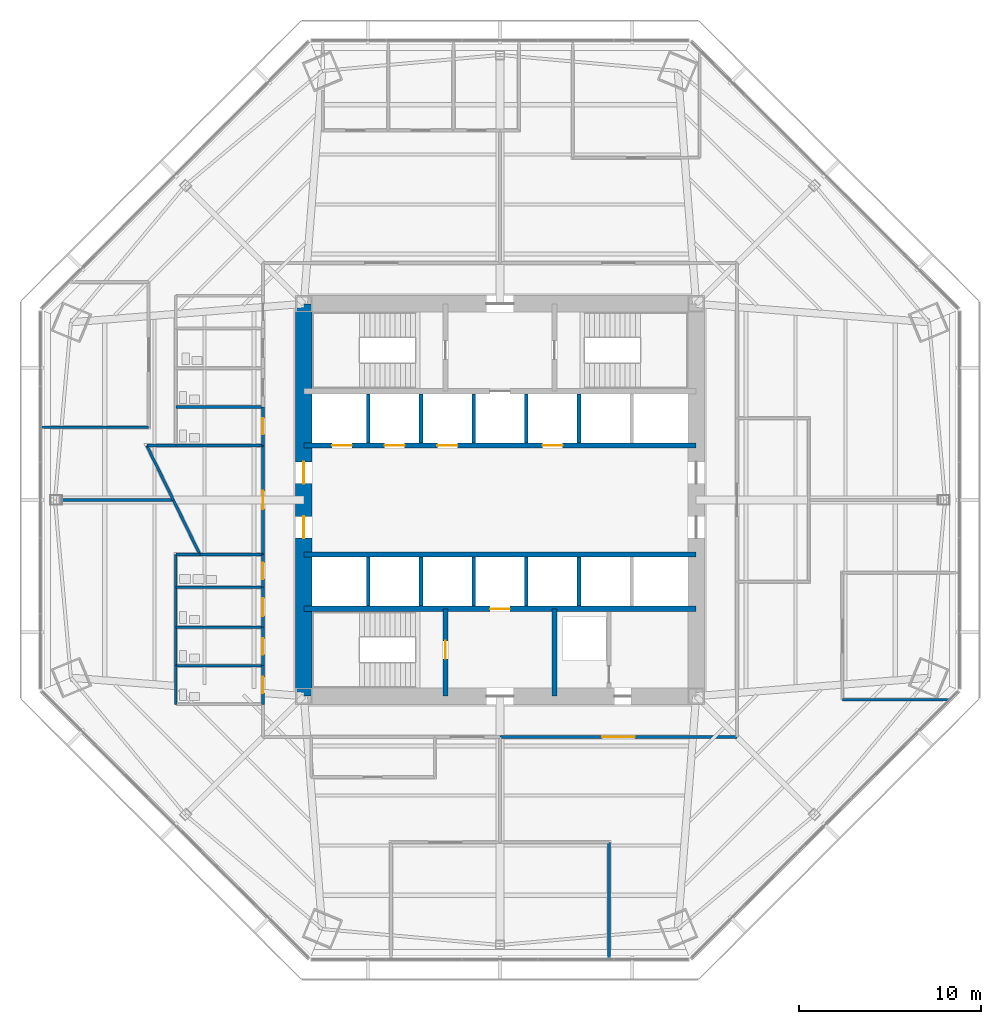
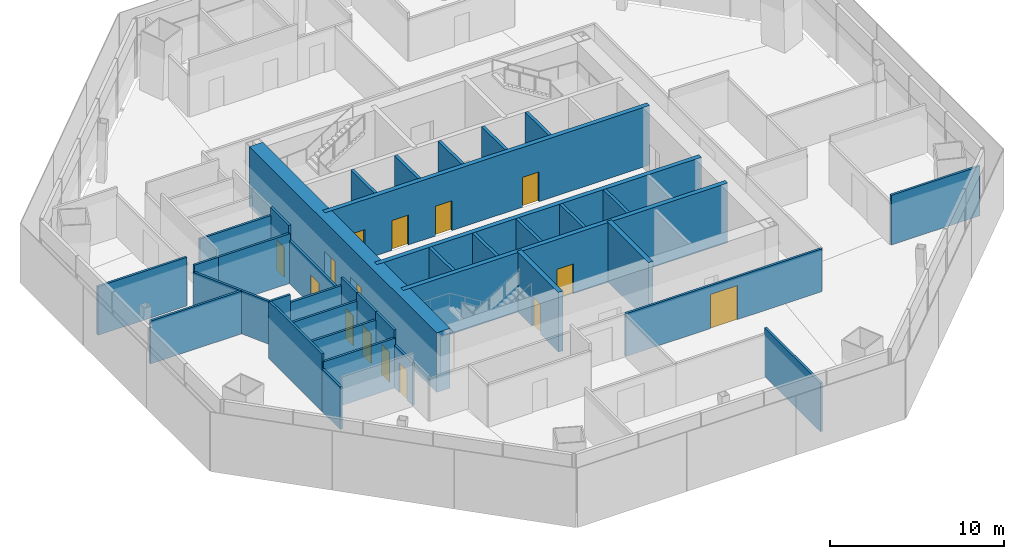
# One storey, part 10 of 16: 39 walls, 15 doors, 15 openings.
"""IFC4 building model written with IfcOpenShell, lengths in metres."""

from ifc_helpers import new_model, si_unit, direction, frame, frame_2d, origin, place, context, subcontext, project, spatial, rectangle, extrude, material, layer, layer_set, type_object, element, fill, save


model = new_model("IFC4")

# Units and contexts
model_context = context("Model", 3, precision=1e-05, world=origin(), true_north=direction((0.0, 1.0)))
body_context = subcontext(model_context, "Body", "Model", "MODEL_VIEW")
ifc_project = project(units=[si_unit("LENGTHUNIT", "METRE"), si_unit("AREAUNIT", "SQUARE_METRE"), si_unit("VOLUMEUNIT", "CUBIC_METRE"), si_unit("PLANEANGLEUNIT", "RADIAN"), si_unit("MASSUNIT", "GRAM", prefix="KILO")], contexts=[model_context])

# Site, building, storey
site_placement = place(None, origin())
site = spatial("IfcSite", under=ifc_project, at=site_placement, CompositionType="ELEMENT")
building_placement = place(site_placement, origin())
building = spatial("IfcBuilding", under=site, at=building_placement, Name="Mashrafa Tower", CompositionType="ELEMENT")
storey_placement = place(building_placement, frame((0.0, 0.0, 96.0)))
storey = spatial("IfcBuildingStorey", under=building, at=storey_placement, Name="L21", CompositionType="ELEMENT", Elevation=96.0)

# Wall, openings, doors
ifc_material_1 = material(Name="Concrete C60/75", Category="concrete")
ifc_layer_1 = layer(ifc_material_1, 0.300048828125)
ifc_layer_set_1 = layer_set([ifc_layer_1], Name="Core wall 300 C60/75")
wall_type_1 = type_object("IfcWallType", Name="Core wall 300 C60/75", PredefinedType="SOLIDWALL", material=ifc_layer_set_1)
wall_1_placement = place(storey_placement, frame((-10.800048828125, 3.0, 0.0), z_axis=(0.0, 0.0, 1.0), x_axis=(1.0, 0.0, 0.0)))
wall_1 = element("IfcWall", 1, at=wall_1_placement, inside=storey, type_object=wall_type_1, Name="Core wall CH-N L21", PredefinedType="SOLIDWALL", context=body_context, shape_type="SweptSolid", body=[
    extrude(rectangle(XDim=21.60009765625, YDim=0.300048828125, at=frame_2d((10.800048828125, 0.0))), origin(), (0.0, 0.0, 1.0), 4.199951171875),
])
opening_1_placement = place(wall_1_placement, frame((1.550048828125, 0.0, 0.0)))
opening_1 = element("IfcOpeningElement", 2, at=opening_1_placement, cuts=wall_1, Name="Opening 21.A1", PredefinedType="OPENING", context=body_context, shape_type="SweptSolid", body=[
    extrude(rectangle(XDim=1.10009765625, YDim=2.10009765625, at=frame_2d((0.550048828125, 1.050048828125))), frame((0.0, 0.159912109375, 0.0), z_axis=(0.0, -1.0, 0.0), x_axis=(1.0, 0.0, 0.0)), (0.0, 0.0, 1.0), 0.320068359375),
])
opening_2_placement = place(wall_1_placement, frame((4.449951171875, 0.0, 0.0)))
opening_2 = element("IfcOpeningElement", 3, at=opening_2_placement, cuts=wall_1, Name="Opening 21.A2", PredefinedType="OPENING", context=body_context, shape_type="SweptSolid", body=[
    extrude(rectangle(XDim=1.10009765625, YDim=2.10009765625, at=frame_2d((0.550048828125, 1.050048828125))), frame((0.0, 0.159912109375, 0.0), z_axis=(0.0, -1.0, 0.0), x_axis=(1.0, 0.0, 0.0)), (0.0, 0.0, 1.0), 0.320068359375),
])
opening_3_placement = place(wall_1_placement, frame((7.35009765625, 0.0, 0.0)))
opening_3 = element("IfcOpeningElement", 4, at=opening_3_placement, cuts=wall_1, Name="Opening 21.A3", PredefinedType="OPENING", context=body_context, shape_type="SweptSolid", body=[
    extrude(rectangle(XDim=1.10009765625, YDim=2.10009765625, at=frame_2d((0.550048828125, 1.050048828125))), frame((0.0, 0.159912109375, 0.0), z_axis=(0.0, -1.0, 0.0), x_axis=(1.0, 0.0, 0.0)), (0.0, 0.0, 1.0), 0.320068359375),
])
opening_4_placement = place(wall_1_placement, frame((13.14990234375, 0.0, 0.0)))
opening_4 = element("IfcOpeningElement", 5, at=opening_4_placement, cuts=wall_1, Name="Opening 21.A4", PredefinedType="OPENING", context=body_context, shape_type="SweptSolid", body=[
    extrude(rectangle(XDim=1.10009765625, YDim=2.10009765625, at=frame_2d((0.550048828125, 1.050048828125))), frame((0.0, 0.159912109375, 0.0), z_axis=(0.0, -1.0, 0.0), x_axis=(1.0, 0.0, 0.0)), (0.0, 0.0, 1.0), 0.320068359375),
])
ifc_material_2 = material(Name="Steel door", Category="steel")
door_type_1 = type_object("IfcDoorType", Name="Lift landing door 1100 x 2100 90 min", OperationType="DOUBLE_DOOR_SLIDING", PredefinedType="DOOR", material=ifc_material_2)
door_1_placement = place(opening_1_placement, origin())
door_1 = element("IfcDoor", 6, at=door_1_placement, inside=storey, type_object=door_type_1, Name="Lift landing door A1 L21", OperationType="DOUBLE_DOOR_SLIDING", OverallHeight=2.10009765625, OverallWidth=1.10009765625, PredefinedType="DOOR", context=body_context, shape_type="SweptSolid", body=[
    extrude(rectangle(XDim=1.10009765625, YDim=2.10009765625, at=frame_2d((0.550048828125, 1.050048828125))), frame((0.0, 0.02490234375, 0.0), z_axis=(0.0, -1.0, 0.0), x_axis=(1.0, 0.0, 0.0)), (0.0, 0.0, 1.0), 0.050048828125),
])
fill(opening_1, door_1)
door_2_placement = place(opening_2_placement, origin())
door_2 = element("IfcDoor", 7, at=door_2_placement, inside=storey, type_object=door_type_1, Name="Lift landing door A2 L21", OperationType="DOUBLE_DOOR_SLIDING", OverallHeight=2.10009765625, OverallWidth=1.10009765625, PredefinedType="DOOR", context=body_context, shape_type="SweptSolid", body=[
    extrude(rectangle(XDim=1.10009765625, YDim=2.10009765625, at=frame_2d((0.550048828125, 1.050048828125))), frame((0.0, 0.02490234375, 0.0), z_axis=(0.0, -1.0, 0.0), x_axis=(1.0, 0.0, 0.0)), (0.0, 0.0, 1.0), 0.050048828125),
])
fill(opening_2, door_2)
door_3_placement = place(opening_3_placement, origin())
door_3 = element("IfcDoor", 8, at=door_3_placement, inside=storey, type_object=door_type_1, Name="Lift landing door A3 L21", OperationType="DOUBLE_DOOR_SLIDING", OverallHeight=2.10009765625, OverallWidth=1.10009765625, PredefinedType="DOOR", context=body_context, shape_type="SweptSolid", body=[
    extrude(rectangle(XDim=1.10009765625, YDim=2.10009765625, at=frame_2d((0.550048828125, 1.050048828125))), frame((0.0, 0.02490234375, 0.0), z_axis=(0.0, -1.0, 0.0), x_axis=(1.0, 0.0, 0.0)), (0.0, 0.0, 1.0), 0.050048828125),
])
fill(opening_3, door_3)
door_4_placement = place(opening_4_placement, origin())
door_4 = element("IfcDoor", 9, at=door_4_placement, inside=storey, type_object=door_type_1, Name="Lift landing door A4 L21", OperationType="DOUBLE_DOOR_SLIDING", OverallHeight=2.10009765625, OverallWidth=1.10009765625, PredefinedType="DOOR", context=body_context, shape_type="SweptSolid", body=[
    extrude(rectangle(XDim=1.10009765625, YDim=2.10009765625, at=frame_2d((0.550048828125, 1.050048828125))), frame((0.0, 0.02490234375, 0.0), z_axis=(0.0, -1.0, 0.0), x_axis=(1.0, 0.0, 0.0)), (0.0, 0.0, 1.0), 0.050048828125),
])
fill(opening_4, door_4)

# Wall
wall_2_placement = place(storey_placement, frame((-10.800048828125, -3.0, 0.0), z_axis=(0.0, 0.0, 1.0), x_axis=(1.0, 0.0, 0.0)))
element("IfcWall", 10, at=wall_2_placement, inside=storey, type_object=wall_type_1, Name="Core wall CH-S L21", PredefinedType="SOLIDWALL", context=body_context, shape_type="SweptSolid", body=[
    extrude(rectangle(XDim=21.60009765625, YDim=0.300048828125, at=frame_2d((10.800048828125, 0.0))), origin(), (0.0, 0.0, 1.0), 4.199951171875),
])

# Wall, opening, door
wall_3_placement = place(storey_placement, frame((-10.800048828125, -6.0, 0.0), z_axis=(0.0, 0.0, 1.0), x_axis=(1.0, 0.0, 0.0)))
wall_3 = element("IfcWall", 11, at=wall_3_placement, inside=storey, type_object=wall_type_1, Name="Core wall CB-S L21", PredefinedType="SOLIDWALL", context=body_context, shape_type="SweptSolid", body=[
    extrude(rectangle(XDim=21.60009765625, YDim=0.300048828125, at=frame_2d((10.800048828125, 0.0))), origin(), (0.0, 0.0, 1.0), 4.199951171875),
])
opening_5_placement = place(wall_3_placement, frame((10.25, 0.0, 0.0)))
opening_5 = element("IfcOpeningElement", 12, at=opening_5_placement, cuts=wall_3, Name="Opening 21.F2", PredefinedType="OPENING", context=body_context, shape_type="SweptSolid", body=[
    extrude(rectangle(XDim=1.10009765625, YDim=2.10009765625, at=frame_2d((0.550048828125, 1.050048828125))), frame((0.0, 0.159912109375, 0.0), z_axis=(0.0, -1.0, 0.0), x_axis=(1.0, 0.0, 0.0)), (0.0, 0.0, 1.0), 0.320068359375),
])
door_5_placement = place(opening_5_placement, origin())
door_5 = element("IfcDoor", 13, at=door_5_placement, inside=storey, type_object=door_type_1, Name="Lift landing door F2 L21", OperationType="DOUBLE_DOOR_SLIDING", OverallHeight=2.10009765625, OverallWidth=1.10009765625, PredefinedType="DOOR", context=body_context, shape_type="SweptSolid", body=[
    extrude(rectangle(XDim=1.10009765625, YDim=2.10009765625, at=frame_2d((0.550048828125, 1.050048828125))), frame((0.0, 0.02490234375, 0.0), z_axis=(0.0, -1.0, 0.0), x_axis=(1.0, 0.0, 0.0)), (0.0, 0.0, 1.0), 0.050048828125),
])
fill(opening_5, door_5)

wall_4_placement = place(storey_placement, frame((-3.0, -6.0, 0.0), z_axis=(0.0, 0.0, 1.0), x_axis=(0.0, -1.0, 0.0)))
wall_4 = element("IfcWall", 14, at=wall_4_placement, inside=storey, type_object=wall_type_1, Name="Core wall CX-SW L21", PredefinedType="SOLIDWALL", context=body_context, shape_type="SweptSolid", body=[
    extrude(rectangle(XDim=4.800048828125, YDim=0.300048828125, at=frame_2d((2.39990234375, 0.0))), origin(), (0.0, 0.0, 1.0), 4.199951171875),
])
opening_6_placement = place(wall_4_placement, frame((1.75, 0.0, 0.0)))
opening_6 = element("IfcOpeningElement", 15, at=opening_6_placement, cuts=wall_4, Name="Opening 21.031", PredefinedType="OPENING", context=body_context, shape_type="SweptSolid", body=[
    extrude(rectangle(XDim=1.0, YDim=2.10009765625, at=frame_2d((0.5, 1.050048828125))), frame((0.0, 0.159912109375, 0.0), z_axis=(0.0, -1.0, 0.0), x_axis=(1.0, 0.0, 0.0)), (0.0, 0.0, 1.0), 0.320068359375),
])
ifc_material_3 = material(Name="Steel door", Category="steel")
door_type_2 = type_object("IfcDoorType", Name="Stair door 1000 x 2100 90 min", OperationType="USERDEFINED", PredefinedType="DOOR", material=ifc_material_3)
door_6_placement = place(opening_6_placement, frame((1.0, 0.0, 0.0), z_axis=(0.0, 0.0, 1.0), x_axis=(-1.0, 0.0, 0.0)))
door_6 = element("IfcDoor", 16, at=door_6_placement, inside=storey, type_object=door_type_2, Name="Stair S3 door L21", OperationType="SINGLE_SWING_RIGHT", OverallHeight=2.10009765625, OverallWidth=1.0, PredefinedType="DOOR", context=body_context, shape_type="SweptSolid", body=[
    extrude(rectangle(XDim=1.0, YDim=2.10009765625, at=frame_2d((0.5, 1.050048828125))), frame((0.0, 0.02490234375, 0.0), z_axis=(0.0, -1.0, 0.0), x_axis=(1.0, 0.0, 0.0)), (0.0, 0.0, 1.0), 0.050048828125),
])
fill(opening_6, door_6)

# Wall
wall_5_placement = place(storey_placement, frame((3.0, -6.0, 0.0), z_axis=(0.0, 0.0, 1.0), x_axis=(0.0, -1.0, 0.0)))
element("IfcWall", 17, at=wall_5_placement, inside=storey, type_object=wall_type_1, Name="Core wall CX-SE L21", PredefinedType="SOLIDWALL", context=body_context, shape_type="SweptSolid", body=[
    extrude(rectangle(XDim=4.800048828125, YDim=0.300048828125, at=frame_2d((2.39990234375, 0.0))), origin(), (0.0, 0.0, 1.0), 4.199951171875),
])

# Wall, openings, doors
ifc_material_4 = material(Name="Concrete C60/75", Category="concrete")
ifc_layer_2 = layer(ifc_material_4, 0.89990234375)
ifc_layer_set_2 = layer_set([ifc_layer_2], Name="Core wall 900 C60/75")
wall_type_2 = type_object("IfcWallType", Name="Core wall 900 C60/75", PredefinedType="SOLIDWALL", material=ifc_layer_set_2)
wall_6_placement = place(storey_placement, frame((-10.800048828125, 10.800048828125, 0.0), z_axis=(0.0, 0.0, 1.0), x_axis=(0.0, -1.0, 0.0)))
wall_6 = element("IfcWall", 18, at=wall_6_placement, inside=storey, type_object=wall_type_2, Name="Core wall CW-W L21", PredefinedType="SOLIDWALL", context=body_context, shape_type="SweptSolid", body=[
    extrude(rectangle(XDim=21.60009765625, YDim=0.89990234375, at=frame_2d((10.800048828125, 0.0))), origin(), (0.0, 0.0, 1.0), 4.199951171875),
])
opening_7_placement = place(wall_6_placement, frame((8.699951171875, 0.0, 0.0)))
opening_7 = element("IfcOpeningElement", 19, at=opening_7_placement, cuts=wall_6, Name="Opening 21.024", PredefinedType="OPENING", context=body_context, shape_type="SweptSolid", body=[
    extrude(rectangle(XDim=1.199951171875, YDim=2.10009765625, at=frame_2d((0.60009765625, 1.050048828125))), frame((0.0, 0.4599609375, 0.0), z_axis=(0.0, -1.0, 0.0), x_axis=(1.0, 0.0, 0.0)), (0.0, 0.0, 1.0), 0.919921875),
])
opening_8_placement = place(wall_6_placement, frame((11.699951171875, 0.0, 0.0)))
opening_8 = element("IfcOpeningElement", 20, at=opening_8_placement, cuts=wall_6, Name="Opening 21.026", PredefinedType="OPENING", context=body_context, shape_type="SweptSolid", body=[
    extrude(rectangle(XDim=1.199951171875, YDim=2.10009765625, at=frame_2d((0.60009765625, 1.050048828125))), frame((0.0, 0.4599609375, 0.0), z_axis=(0.0, -1.0, 0.0), x_axis=(1.0, 0.0, 0.0)), (0.0, 0.0, 1.0), 0.919921875),
])
ifc_material_5 = material(Name="Steel door", Category="steel")
door_type_3 = type_object("IfcDoorType", Name="Lift hall door 1200 x 2100 90 min", OperationType="USERDEFINED", PredefinedType="DOOR", material=ifc_material_5)
door_7_placement = place(opening_7_placement, frame((1.199951171875, 0.0, 0.0), z_axis=(0.0, 0.0, 1.0), x_axis=(-1.0, 0.0, 0.0)))
door_7 = element("IfcDoor", 21, at=door_7_placement, inside=storey, type_object=door_type_3, Name="Lift hall door west L21", OperationType="SINGLE_SWING_RIGHT", OverallHeight=2.10009765625, OverallWidth=1.199951171875, PredefinedType="DOOR", context=body_context, shape_type="SweptSolid", body=[
    extrude(rectangle(XDim=1.199951171875, YDim=2.10009765625, at=frame_2d((0.60009765625, 1.050048828125))), frame((0.0, 0.02490234375, 0.0), z_axis=(0.0, -1.0, 0.0), x_axis=(1.0, 0.0, 0.0)), (0.0, 0.0, 1.0), 0.050048828125),
])
fill(opening_7, door_7)
door_8_placement = place(opening_8_placement, frame((1.199951171875, 0.0, 0.0), z_axis=(0.0, 0.0, 1.0), x_axis=(-1.0, 0.0, 0.0)))
door_8 = element("IfcDoor", 22, at=door_8_placement, inside=storey, type_object=door_type_3, Name="Lift hall door west L21", OperationType="SINGLE_SWING_LEFT", OverallHeight=2.10009765625, OverallWidth=1.199951171875, PredefinedType="DOOR", context=body_context, shape_type="SweptSolid", body=[
    extrude(rectangle(XDim=1.199951171875, YDim=2.10009765625, at=frame_2d((0.60009765625, 1.050048828125))), frame((0.0, 0.02490234375, 0.0), z_axis=(0.0, -1.0, 0.0), x_axis=(1.0, 0.0, 0.0)), (0.0, 0.0, 1.0), 0.050048828125),
])
fill(opening_8, door_8)

# Wall, opening, door
ifc_material_6 = material(Name="Gypsum board on steel studs", Category="steel")
ifc_layer_3 = layer(ifc_material_6, 0.14990234375)
ifc_layer_set_3 = layer_set([ifc_layer_3], Name="Corridor partition 150 1 hr")
wall_type_3 = type_object("IfcWallType", Name="Corridor partition 150 1 hr", PredefinedType="PARTITIONING", material=ifc_layer_set_3)
wall_7_placement = place(storey_placement, frame((-13.050048828125, 5.1259765625, 0.0), z_axis=(0.0, 0.0, 1.0), x_axis=(0.0, -1.0, 0.0)))
wall_7 = element("IfcWall", 23, at=wall_7_placement, inside=storey, type_object=wall_type_3, Name="Corridor wall L21-001", PredefinedType="PARTITIONING", context=body_context, shape_type="SweptSolid", body=[
    extrude(rectangle(XDim=2.126953125, YDim=0.14990234375, at=frame_2d((1.0634765625, 0.0))), origin(), (0.0, 0.0, 1.0), 4.034912109375),
])
opening_9_placement = place(wall_7_placement, frame((0.613525390625, 0.0, 0.0)))
opening_9 = element("IfcOpeningElement", 24, at=opening_9_placement, cuts=wall_7, Name="Opening 21.001", PredefinedType="OPENING", context=body_context, shape_type="SweptSolid", body=[
    extrude(rectangle(XDim=0.89990234375, YDim=2.10009765625, at=frame_2d((0.449951171875, 1.050048828125))), frame((0.0, 0.0849609375, 0.0), z_axis=(0.0, -1.0, 0.0), x_axis=(1.0, 0.0, 0.0)), (0.0, 0.0, 1.0), 0.169921875),
])
ifc_material_7 = material(Name="Timber door", Category="wood")
door_type_4 = type_object("IfcDoorType", Name="Toilet door 900 x 2100", OperationType="USERDEFINED", PredefinedType="DOOR", material=ifc_material_7)
door_9_placement = place(opening_9_placement, frame((0.89990234375, 0.0, 0.0), z_axis=(0.0, 0.0, 1.0), x_axis=(-1.0, 0.0, 0.0)))
door_9 = element("IfcDoor", 25, at=door_9_placement, inside=storey, type_object=door_type_4, Name="WC Female L21 N door", OperationType="SINGLE_SWING_RIGHT", OverallHeight=2.10009765625, OverallWidth=0.89990234375, PredefinedType="DOOR", context=body_context, shape_type="SweptSolid", body=[
    extrude(rectangle(XDim=0.89990234375, YDim=2.10009765625, at=frame_2d((0.449951171875, 1.050048828125))), frame((0.0, 0.02490234375, 0.0), z_axis=(0.0, -1.0, 0.0), x_axis=(1.0, 0.0, 0.0)), (0.0, 0.0, 1.0), 0.050048828125),
])
fill(opening_9, door_9)

wall_8_placement = place(storey_placement, frame((-13.050048828125, -9.1240234375, 0.0), z_axis=(0.0, 0.0, 1.0), x_axis=(0.0, -1.0, 0.0)))
wall_8 = element("IfcWall", 26, at=wall_8_placement, inside=storey, type_object=wall_type_3, Name="Corridor wall L21-005", PredefinedType="PARTITIONING", context=body_context, shape_type="SweptSolid", body=[
    extrude(rectangle(XDim=2.126953125, YDim=0.14990234375, at=frame_2d((1.0634765625, 0.0))), origin(), (0.0, 0.0, 1.0), 3.01416015625),
])
opening_10_placement = place(wall_8_placement, frame((0.613525390625, 0.0, 0.0)))
opening_10 = element("IfcOpeningElement", 27, at=opening_10_placement, cuts=wall_8, Name="Opening 21.005", PredefinedType="OPENING", context=body_context, shape_type="SweptSolid", body=[
    extrude(rectangle(XDim=0.89990234375, YDim=2.10009765625, at=frame_2d((0.449951171875, 1.050048828125))), frame((0.0, 0.0849609375, 0.0), z_axis=(0.0, -1.0, 0.0), x_axis=(1.0, 0.0, 0.0)), (0.0, 0.0, 1.0), 0.169921875),
])
door_10_placement = place(opening_10_placement, frame((0.89990234375, 0.0, 0.0), z_axis=(0.0, 0.0, 1.0), x_axis=(-1.0, 0.0, 0.0)))
door_10 = element("IfcDoor", 28, at=door_10_placement, inside=storey, type_object=door_type_4, Name="WC Female L21 S door", OperationType="SINGLE_SWING_RIGHT", OverallHeight=2.10009765625, OverallWidth=0.89990234375, PredefinedType="DOOR", context=body_context, shape_type="SweptSolid", body=[
    extrude(rectangle(XDim=0.89990234375, YDim=2.10009765625, at=frame_2d((0.449951171875, 1.050048828125))), frame((0.0, 0.02490234375, 0.0), z_axis=(0.0, -1.0, 0.0), x_axis=(1.0, 0.0, 0.0)), (0.0, 0.0, 1.0), 0.050048828125),
])
fill(opening_10, door_10)

wall_9_placement = place(storey_placement, frame((-13.050048828125, -6.9990234375, 0.0), z_axis=(0.0, 0.0, 1.0), x_axis=(0.0, -1.0, 0.0)))
wall_9 = element("IfcWall", 29, at=wall_9_placement, inside=storey, type_object=wall_type_3, Name="Corridor wall L21-006", PredefinedType="PARTITIONING", context=body_context, shape_type="SweptSolid", body=[
    extrude(rectangle(XDim=2.126953125, YDim=0.14990234375, at=frame_2d((1.0634765625, 0.0))), origin(), (0.0, 0.0, 1.0), 4.034912109375),
])
opening_11_placement = place(wall_9_placement, frame((0.613525390625, 0.0, 0.0)))
opening_11 = element("IfcOpeningElement", 30, at=opening_11_placement, cuts=wall_9, Name="Opening 21.006", PredefinedType="OPENING", context=body_context, shape_type="SweptSolid", body=[
    extrude(rectangle(XDim=0.89990234375, YDim=2.10009765625, at=frame_2d((0.449951171875, 1.050048828125))), frame((0.0, 0.0849609375, 0.0), z_axis=(0.0, -1.0, 0.0), x_axis=(1.0, 0.0, 0.0)), (0.0, 0.0, 1.0), 0.169921875),
])
door_11_placement = place(opening_11_placement, frame((0.89990234375, 0.0, 0.0), z_axis=(0.0, 0.0, 1.0), x_axis=(-1.0, 0.0, 0.0)))
door_11 = element("IfcDoor", 31, at=door_11_placement, inside=storey, type_object=door_type_4, Name="WC Male L21 S door", OperationType="SINGLE_SWING_RIGHT", OverallHeight=2.10009765625, OverallWidth=0.89990234375, PredefinedType="DOOR", context=body_context, shape_type="SweptSolid", body=[
    extrude(rectangle(XDim=0.89990234375, YDim=2.10009765625, at=frame_2d((0.449951171875, 1.050048828125))), frame((0.0, 0.02490234375, 0.0), z_axis=(0.0, -1.0, 0.0), x_axis=(1.0, 0.0, 0.0)), (0.0, 0.0, 1.0), 0.050048828125),
])
fill(opening_11, door_11)

wall_10_placement = place(storey_placement, frame((-13.050048828125, -4.799072265625, 0.0), z_axis=(0.0, 0.0, 1.0), x_axis=(0.0, -1.0, 0.0)))
wall_10 = element("IfcWall", 32, at=wall_10_placement, inside=storey, type_object=wall_type_3, Name="Corridor wall L21-007", PredefinedType="PARTITIONING", context=body_context, shape_type="SweptSolid", body=[
    extrude(rectangle(XDim=2.201904296875, YDim=0.14990234375, at=frame_2d((1.10107421875, 0.0))), origin(), (0.0, 0.0, 1.0), 4.034912109375),
])
opening_12_placement = place(wall_10_placement, frame((0.60107421875, 0.0, 0.0)))
opening_12 = element("IfcOpeningElement", 33, at=opening_12_placement, cuts=wall_10, Name="Opening 21.007", PredefinedType="OPENING", context=body_context, shape_type="SweptSolid", body=[
    extrude(rectangle(XDim=1.0, YDim=2.10009765625, at=frame_2d((0.5, 1.050048828125))), frame((0.0, 0.0849609375, 0.0), z_axis=(0.0, -1.0, 0.0), x_axis=(1.0, 0.0, 0.0)), (0.0, 0.0, 1.0), 0.169921875),
])
ifc_material_8 = material(Name="Timber door", Category="wood")
door_type_5 = type_object("IfcDoorType", Name="Accessible toilet door 1000 x 2100", OperationType="USERDEFINED", PredefinedType="DOOR", material=ifc_material_8)
door_12_placement = place(opening_12_placement, frame((1.0, 0.0, 0.0), z_axis=(0.0, 0.0, 1.0), x_axis=(-1.0, 0.0, 0.0)))
door_12 = element("IfcDoor", 34, at=door_12_placement, inside=storey, type_object=door_type_5, Name="Accessible WC L21 S door", OperationType="SINGLE_SWING_LEFT", OverallHeight=2.10009765625, OverallWidth=1.0, PredefinedType="DOOR", context=body_context, shape_type="SweptSolid", body=[
    extrude(rectangle(XDim=1.0, YDim=2.10009765625, at=frame_2d((0.5, 1.050048828125))), frame((0.0, 0.02490234375, 0.0), z_axis=(0.0, -1.0, 0.0), x_axis=(1.0, 0.0, 0.0)), (0.0, 0.0, 1.0), 0.050048828125),
])
fill(opening_12, door_12)

wall_11_placement = place(storey_placement, frame((-13.050048828125, -2.9990234375, 0.0), z_axis=(0.0, 0.0, 1.0), x_axis=(0.0, -1.0, 0.0)))
wall_11 = element("IfcWall", 35, at=wall_11_placement, inside=storey, type_object=wall_type_3, Name="Corridor wall L21-008", PredefinedType="PARTITIONING", context=body_context, shape_type="SweptSolid", body=[
    extrude(rectangle(XDim=1.802001953125, YDim=0.14990234375, at=frame_2d((0.90087890625, 0.0))), origin(), (0.0, 0.0, 1.0), 4.034912109375),
])
opening_13_placement = place(wall_11_placement, frame((0.450927734375, 0.0, 0.0)))
opening_13 = element("IfcOpeningElement", 36, at=opening_13_placement, cuts=wall_11, Name="Opening 21.008", PredefinedType="OPENING", context=body_context, shape_type="SweptSolid", body=[
    extrude(rectangle(XDim=0.89990234375, YDim=2.10009765625, at=frame_2d((0.449951171875, 1.050048828125))), frame((0.0, 0.0849609375, 0.0), z_axis=(0.0, -1.0, 0.0), x_axis=(1.0, 0.0, 0.0)), (0.0, 0.0, 1.0), 0.169921875),
])
door_13_placement = place(opening_13_placement, frame((0.89990234375, 0.0, 0.0), z_axis=(0.0, 0.0, 1.0), x_axis=(-1.0, 0.0, 0.0)))
door_13 = element("IfcDoor", 37, at=door_13_placement, inside=storey, type_object=door_type_4, Name="Ablution Room L21 S door", OperationType="SINGLE_SWING_RIGHT", OverallHeight=2.10009765625, OverallWidth=0.89990234375, PredefinedType="DOOR", context=body_context, shape_type="SweptSolid", body=[
    extrude(rectangle(XDim=0.89990234375, YDim=2.10009765625, at=frame_2d((0.449951171875, 1.050048828125))), frame((0.0, 0.02490234375, 0.0), z_axis=(0.0, -1.0, 0.0), x_axis=(1.0, 0.0, 0.0)), (0.0, 0.0, 1.0), 0.050048828125),
])
fill(opening_13, door_13)

wall_12_placement = place(storey_placement, frame((-13.050048828125, 3.0009765625, 0.0), z_axis=(0.0, 0.0, 1.0), x_axis=(0.0, -1.0, 0.0)))
wall_12 = element("IfcWall", 38, at=wall_12_placement, inside=storey, type_object=wall_type_3, Name="Corridor wall L21-009", PredefinedType="PARTITIONING", context=body_context, shape_type="SweptSolid", body=[
    extrude(rectangle(XDim=6.001953125, YDim=0.14990234375, at=frame_2d((3.0009765625, 0.0))), origin(), (0.0, 0.0, 1.0), 3.01416015625),
])
opening_14_placement = place(wall_12_placement, frame((2.5009765625, 0.0, 0.0)))
opening_14 = element("IfcOpeningElement", 39, at=opening_14_placement, cuts=wall_12, Name="Opening 21.009", PredefinedType="OPENING", context=body_context, shape_type="SweptSolid", body=[
    extrude(rectangle(XDim=1.0, YDim=2.10009765625, at=frame_2d((0.5, 1.050048828125))), frame((0.0, 0.0849609375, 0.0), z_axis=(0.0, -1.0, 0.0), x_axis=(1.0, 0.0, 0.0)), (0.0, 0.0, 1.0), 0.169921875),
])
ifc_material_9 = material(Name="Timber door", Category="wood")
door_type_6 = type_object("IfcDoorType", Name="Door 1000 x 2100", OperationType="USERDEFINED", PredefinedType="DOOR", material=ifc_material_9)
door_14_placement = place(opening_14_placement, frame((1.0, 0.0, 0.0), z_axis=(0.0, 0.0, 1.0), x_axis=(-1.0, 0.0, 0.0)))
door_14 = element("IfcDoor", 40, at=door_14_placement, inside=storey, type_object=door_type_6, Name="Musallah Prayer Room 21 door", OperationType="SINGLE_SWING_LEFT", OverallHeight=2.10009765625, OverallWidth=1.0, PredefinedType="DOOR", context=body_context, shape_type="SweptSolid", body=[
    extrude(rectangle(XDim=1.0, YDim=2.10009765625, at=frame_2d((0.5, 1.050048828125))), frame((0.0, 0.02490234375, 0.0), z_axis=(0.0, -1.0, 0.0), x_axis=(1.0, 0.0, 0.0)), (0.0, 0.0, 1.0), 0.050048828125),
])
fill(opening_14, door_14)

wall_13_placement = place(storey_placement, frame((-0.0009765625, -13.050048828125, 0.0), z_axis=(0.0, 0.0, 1.0), x_axis=(1.0, 0.0, 0.0)))
wall_13 = element("IfcWall", 41, at=wall_13_placement, inside=storey, type_object=wall_type_3, Name="Corridor wall L21-019", PredefinedType="PARTITIONING", context=body_context, shape_type="SweptSolid", body=[
    extrude(rectangle(XDim=13.051025390625, YDim=0.14990234375, at=frame_2d((6.525390625, 0.0))), origin(), (0.0, 0.0, 1.0), 3.01416015625),
])
opening_15_placement = place(wall_13_placement, frame((5.62548828125, 0.0, 0.0)))
opening_15 = element("IfcOpeningElement", 42, at=opening_15_placement, cuts=wall_13, Name="Opening 21.022", PredefinedType="OPENING", context=body_context, shape_type="SweptSolid", body=[
    extrude(rectangle(XDim=1.800048828125, YDim=2.39990234375, at=frame_2d((0.89990234375, 1.199951171875))), frame((0.0, 0.0849609375, 0.0), z_axis=(0.0, -1.0, 0.0), x_axis=(1.0, 0.0, 0.0)), (0.0, 0.0, 1.0), 0.169921875),
])
ifc_material_10 = material(Name="Timber door", Category="wood")
door_type_7 = type_object("IfcDoorType", Name="Door pair 1800 x 2400", OperationType="DOUBLE_DOOR_SINGLE_SWING", PredefinedType="DOOR", material=ifc_material_10)
door_15_placement = place(opening_15_placement, frame((1.800048828125, 0.0, 0.0), z_axis=(0.0, 0.0, 1.0), x_axis=(-1.0, 0.0, 0.0)))
door_15 = element("IfcDoor", 43, at=door_15_placement, inside=storey, type_object=door_type_7, Name="Legal Office 21-SE door", OperationType="DOUBLE_DOOR_SINGLE_SWING", OverallHeight=2.39990234375, OverallWidth=1.800048828125, PredefinedType="DOOR", context=body_context, shape_type="SweptSolid", body=[
    extrude(rectangle(XDim=1.800048828125, YDim=2.39990234375, at=frame_2d((0.89990234375, 1.199951171875))), frame((0.0, 0.02490234375, 0.0), z_axis=(0.0, -1.0, 0.0), x_axis=(1.0, 0.0, 0.0)), (0.0, 0.0, 1.0), 0.050048828125),
])
fill(opening_15, door_15)

# Walls
ifc_material_11 = material(Name="Gypsum board on steel studs", Category="steel")
ifc_layer_4 = layer(ifc_material_11, 0.14990234375)
ifc_layer_set_4 = layer_set([ifc_layer_4], Name="Partition 150")
wall_type_4 = type_object("IfcWallType", Name="Partition 150", PredefinedType="PARTITIONING", material=ifc_layer_set_4)
for number, where, z_axis, x_axis, name in (
    (44, (-13.050048828125, 5.125, 0.0), (0.0, 0.0, 1.0), (-1.0, 0.0, 0.0), "Partition wall L21-021"),
    (45, (-17.85009765625, 3.0, 0.0), (0.0, 0.0, 1.0), (1.0, 0.0, 0.0), "Partition wall L21-022"),
    (46, (-13.050048828125, -9.125, 0.0), (0.0, 0.0, 1.0), (-1.0, 0.0, 0.0), "Partition wall L21-030"),
):
    element("IfcWall", number, at=place(storey_placement, frame(where, z_axis=z_axis, x_axis=x_axis)), inside=storey, type_object=wall_type_4, Name=name, PredefinedType="PARTITIONING", context=body_context, shape_type="SweptSolid", body=[
        extrude(rectangle(XDim=4.800048828125, YDim=0.14990234375, at=frame_2d((2.39990234375, 0.0))), origin(), (0.0, 0.0, 1.0), 3.49169921875),
    ])
wall_14_placement = place(storey_placement, frame((-17.85009765625, -9.125, 0.0), z_axis=(0.0, 0.0, 1.0), x_axis=(0.0, -1.0, 0.0)))
element("IfcWall", 47, at=wall_14_placement, inside=storey, type_object=wall_type_4, Name="Partition wall L21-031", PredefinedType="PARTITIONING", context=body_context, shape_type="SweptSolid", body=[
    extrude(rectangle(XDim=2.125, YDim=0.14990234375, at=frame_2d((1.0625, 0.0))), origin(), (0.0, 0.0, 1.0), 3.01416015625),
])
wall_15_placement = place(storey_placement, frame((-13.050048828125, -7.0, 0.0), z_axis=(0.0, 0.0, 1.0), x_axis=(-1.0, 0.0, 0.0)))
element("IfcWall", 48, at=wall_15_placement, inside=storey, type_object=wall_type_4, Name="Partition wall L21-033", PredefinedType="PARTITIONING", context=body_context, shape_type="SweptSolid", body=[
    extrude(rectangle(XDim=4.800048828125, YDim=0.14990234375, at=frame_2d((2.39990234375, 0.0))), origin(), (0.0, 0.0, 1.0), 3.49169921875),
])
wall_16_placement = place(storey_placement, frame((-17.85009765625, -9.125, 0.0), z_axis=(0.0, 0.0, 1.0), x_axis=(0.0, 1.0, 0.0)))
element("IfcWall", 49, at=wall_16_placement, inside=storey, type_object=wall_type_4, Name="Partition wall L21-034", PredefinedType="PARTITIONING", context=body_context, shape_type="SweptSolid", body=[
    extrude(rectangle(XDim=6.125, YDim=0.14990234375, at=frame_2d((3.0625, 0.0))), origin(), (0.0, 0.0, 1.0), 4.034912109375),
])
wall_17_placement = place(storey_placement, frame((-13.050048828125, -4.800048828125, 0.0), z_axis=(0.0, 0.0, 1.0), x_axis=(-1.0, 0.0, 0.0)))
element("IfcWall", 50, at=wall_17_placement, inside=storey, type_object=wall_type_4, Name="Partition wall L21-035", PredefinedType="PARTITIONING", context=body_context, shape_type="SweptSolid", body=[
    extrude(rectangle(XDim=4.800048828125, YDim=0.14990234375, at=frame_2d((2.39990234375, 0.0))), origin(), (0.0, 0.0, 1.0), 3.49169921875),
])
wall_18_placement = place(storey_placement, frame((-13.050048828125, -3.0, 0.0), z_axis=(0.0, 0.0, 1.0), x_axis=(-1.0, 0.0, 0.0)))
element("IfcWall", 51, at=wall_18_placement, inside=storey, type_object=wall_type_4, Name="Partition wall L21-037", PredefinedType="PARTITIONING", context=body_context, shape_type="SweptSolid", body=[
    extrude(rectangle(XDim=3.474609375, YDim=0.14990234375, at=frame_2d((1.7373046875, 0.0))), origin(), (0.0, 0.0, 1.0), 3.49169921875),
])
wall_19_placement = place(storey_placement, frame((-16.5224609375, -3.0, 0.0), z_axis=(0.0, 0.0, 1.0), x_axis=(-1.0, 0.0, 0.0)))
element("IfcWall", 52, at=wall_19_placement, inside=storey, type_object=wall_type_4, Name="Partition wall L21-038", PredefinedType="PARTITIONING", context=body_context, shape_type="SweptSolid", body=[
    extrude(rectangle(XDim=1.32763671875, YDim=0.14990234375, at=frame_2d((0.663818359375, 0.0))), origin(), (0.0, 0.0, 1.0), 4.034912109375),
])
wall_20_placement = place(storey_placement, frame((-17.84912109375, 3.0, 0.0), z_axis=(0.0, 0.0, 1.0), x_axis=(-1.0, 0.0, 0.0)))
element("IfcWall", 53, at=wall_20_placement, inside=storey, type_object=wall_type_4, Name="Partition wall L21-040", PredefinedType="PARTITIONING", context=body_context, shape_type="SweptSolid", body=[
    extrude(rectangle(XDim=1.600830078125, YDim=0.14990234375, at=frame_2d((0.80029296875, 0.0))), origin(), (0.0, 0.0, 1.0), 3.499267578125),
])
for number, where, z_axis, x_axis, name in (
    (54, (-19.449951171875, 3.0, 0.0), (0.0, 0.0, 1.0), (0.438358802551, -0.898800066882, 0.0), "Partition wall L21-041"),
    (55, (-17.9873046875, 0.0009765625, 0.0), (0.0, 0.0, 1.0), (0.438358802551, -0.898800066882, 0.0), "Partition wall L21-042"),
):
    element("IfcWall", number, at=place(storey_placement, frame(where, z_axis=z_axis, x_axis=x_axis)), inside=storey, type_object=wall_type_4, Name=name, PredefinedType="PARTITIONING", context=body_context, shape_type="SweptSolid", body=[
        extrude(rectangle(XDim=3.3388671875, YDim=0.14990234375, at=frame_2d((1.66943359375, 0.0))), origin(), (0.0, 0.0, 1.0), 3.01416015625),
    ])
wall_21_placement = place(storey_placement, frame((6.0, -25.281005859375, 0.0), z_axis=(0.0, 0.0, 1.0), x_axis=(0.0, 1.0, 0.0)))
element("IfcWall", 56, at=wall_21_placement, inside=storey, type_object=wall_type_4, Name="Partition wall L21-052", PredefinedType="PARTITIONING", context=body_context, shape_type="SweptSolid", body=[
    extrude(rectangle(XDim=6.431884765625, YDim=0.14990234375, at=frame_2d((3.2158203125, 0.0))), origin(), (0.0, 0.0, 1.0), 3.423095703125),
])
wall_22_placement = place(storey_placement, frame((18.84912109375, -11.0, 0.0), z_axis=(0.0, 0.0, 1.0), x_axis=(1.0, 0.0, 0.0)))
element("IfcWall", 57, at=wall_22_placement, inside=storey, type_object=wall_type_4, Name="Partition wall L21-056", PredefinedType="PARTITIONING", context=body_context, shape_type="SweptSolid", body=[
    extrude(rectangle(XDim=5.9052734375, YDim=0.14990234375, at=frame_2d((2.95263671875, 0.0))), origin(), (0.0, 0.0, 1.0), 3.49658203125),
])
wall_23_placement = place(storey_placement, frame((-25.281005859375, 4.0, 0.0), z_axis=(0.0, 0.0, 1.0), x_axis=(1.0, 0.0, 0.0)))
element("IfcWall", 58, at=wall_23_placement, inside=storey, type_object=wall_type_4, Name="Partition wall L21-057", PredefinedType="PARTITIONING", context=body_context, shape_type="SweptSolid", body=[
    extrude(rectangle(XDim=5.931884765625, YDim=0.14990234375, at=frame_2d((2.9658203125, 0.0))), origin(), (0.0, 0.0, 1.0), 3.423095703125),
])
wall_24_placement = place(storey_placement, frame((-24.111083984375, 0.0, 0.0), z_axis=(0.0, 0.0, 1.0), x_axis=(1.0, 0.0, 0.0)))
element("IfcWall", 59, at=wall_24_placement, inside=storey, type_object=wall_type_4, Name="Partition wall L21-074", PredefinedType="PARTITIONING", context=body_context, shape_type="SweptSolid", body=[
    extrude(rectangle(XDim=6.124267578125, YDim=0.14990234375, at=frame_2d((3.06201171875, 0.0))), origin(), (0.0, 0.0, 1.0), 3.01416015625),
])
ifc_material_12 = material(Name="Gypsum shaft wall on steel studs", Category="steel")
ifc_layer_5 = layer(ifc_material_12, 0.199951171875)
ifc_layer_set_5 = layer_set([ifc_layer_5], Name="Shaft divider wall 200 2 hr")
wall_type_5 = type_object("IfcWallType", Name="Shaft divider wall 200 2 hr", PredefinedType="PARTITIONING", material=ifc_layer_set_5)
for number, where, z_axis, x_axis, name in (
    (60, (-7.25, 3.14990234375, 0.0), (0.0, 0.0, 1.0), (0.0, 1.0, 0.0), "Shaft divider wall N1 L21"),
    (61, (-4.35009765625, 3.14990234375, 0.0), (0.0, 0.0, 1.0), (0.0, 1.0, 0.0), "Shaft divider wall N2 L21"),
    (62, (-1.449951171875, 3.14990234375, 0.0), (0.0, 0.0, 1.0), (0.0, 1.0, 0.0), "Shaft divider wall N3 L21"),
    (63, (1.449951171875, 3.14990234375, 0.0), (0.0, 0.0, 1.0), (0.0, 1.0, 0.0), "Shaft divider wall N4 L21"),
    (64, (4.35009765625, 3.14990234375, 0.0), (0.0, 0.0, 1.0), (0.0, 1.0, 0.0), "Shaft divider wall N5 L21"),
    (65, (-7.25, -5.85009765625, 0.0), (0.0, 0.0, 1.0), (0.0, 1.0, 0.0), "Shaft divider wall S1 L21"),
    (66, (-4.35009765625, -5.85009765625, 0.0), (0.0, 0.0, 1.0), (0.0, 1.0, 0.0), "Shaft divider wall S2 L21"),
    (67, (-1.449951171875, -5.85009765625, 0.0), (0.0, 0.0, 1.0), (0.0, 1.0, 0.0), "Shaft divider wall S3 L21"),
    (68, (1.449951171875, -5.85009765625, 0.0), (0.0, 0.0, 1.0), (0.0, 1.0, 0.0), "Shaft divider wall S4 L21"),
    (69, (4.35009765625, -5.85009765625, 0.0), (0.0, 0.0, 1.0), (0.0, 1.0, 0.0), "Shaft divider wall S5 L21"),
):
    element("IfcWall", number, at=place(storey_placement, frame(where, z_axis=z_axis, x_axis=x_axis)), inside=storey, type_object=wall_type_5, Name=name, PredefinedType="PARTITIONING", context=body_context, shape_type="SweptSolid", body=[
        extrude(rectangle(XDim=2.7001953125, YDim=0.199951171875, at=frame_2d((1.35009765625, 0.0))), origin(), (0.0, 0.0, 1.0), 4.199951171875),
    ])

save(model, "model.ifc")
